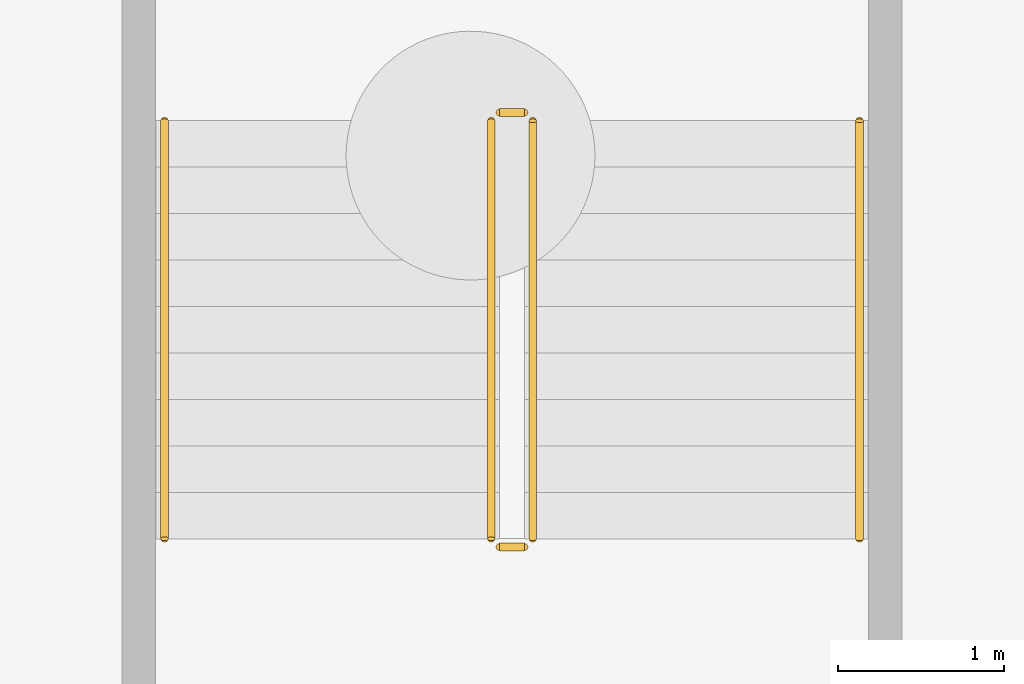
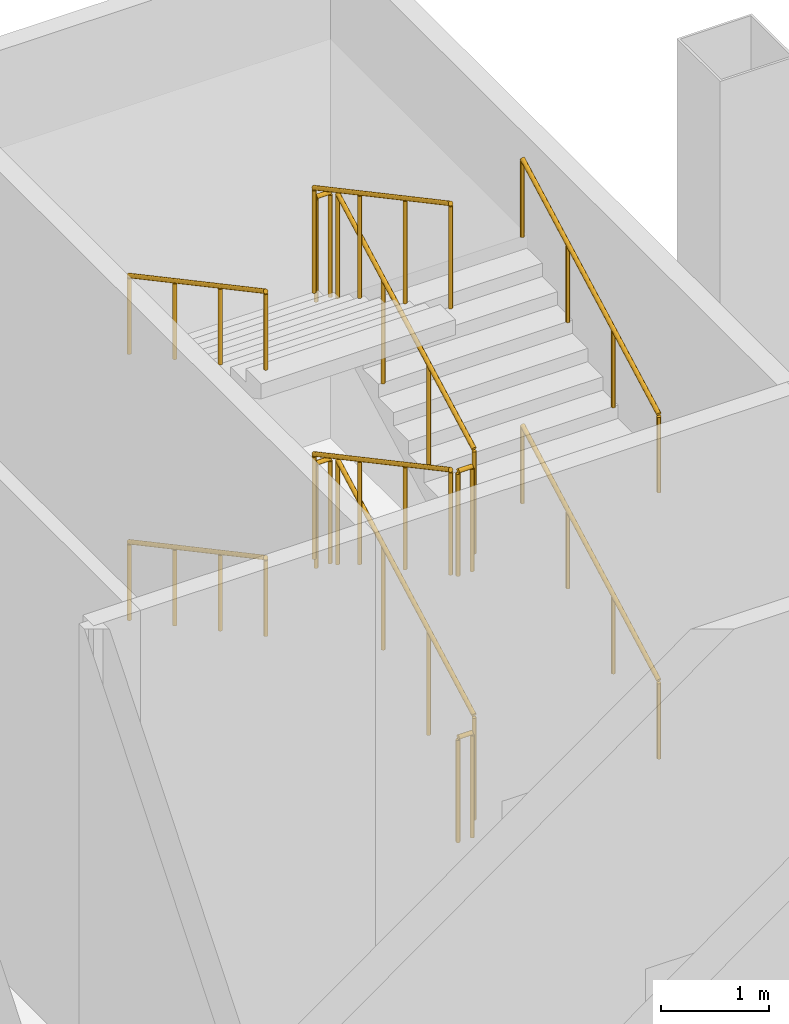
# One storey, part 24 of 25: 12 railings.
"""IFC4 building model written with IfcOpenShell, lengths in metres."""

from ifc_helpers import new_model, si_unit, direction, frame, origin, origin_2d, place, context, subcontext, project, spatial, circle, extrude, material, type_object, element, save


model = new_model("IFC4")

# Units and contexts
model_context = context("Model", 3, precision=1e-05, world=origin(), true_north=direction((0.0, 1.0)))
body_context = subcontext(model_context, "Body", "Model", "MODEL_VIEW")
ifc_project = project(units=[si_unit("LENGTHUNIT", "METRE"), si_unit("AREAUNIT", "SQUARE_METRE"), si_unit("VOLUMEUNIT", "CUBIC_METRE"), si_unit("PLANEANGLEUNIT", "RADIAN"), si_unit("MASSUNIT", "GRAM", prefix="KILO")], contexts=[model_context])

# Site, building, storey
site_placement = place(None, origin())
site = spatial("IfcSite", under=ifc_project, at=site_placement, CompositionType="ELEMENT")
building_placement = place(site_placement, origin())
building = spatial("IfcBuilding", under=site, at=building_placement, Name="Caravel Reach Hotel and Residences", CompositionType="ELEMENT")
storey_placement = place(building_placement, frame((0.0, 0.0, -6.0)))
storey = spatial("IfcBuildingStorey", under=building, at=storey_placement, Name="B1", CompositionType="ELEMENT", Elevation=-6.0)

# Railings
ifc_material_1 = material(Name="Steel balustrade with glass infill", Category="steel")
railing_type_1 = type_object("IfcRailingType", Name="Guard 1200", PredefinedType="GUARDRAIL", material=ifc_material_1)
railing_1_placement = place(storey_placement, frame((63.375, 42.68994140625, 0.14990234375)))
element("IfcRailing", 1, at=railing_1_placement, inside=storey, type_object=railing_type_1, Name="B1 ST-P6 stair guard 1", PredefinedType="GUARDRAIL", context=body_context, shape_type="SweptSolid", body=[
    extrude(circle(Radius=0.02392578125, at=origin_2d()), frame((0.0, 0.0, 1.17578125), z_axis=(0.0, 0.881467274426, 0.472245110209), x_axis=(-1.0, 0.0, 0.0)), (0.0, 0.0, 1.0), 2.85888671875),
    extrude(circle(Radius=0.02099609375, at=origin_2d()), origin(), (0.0, 0.0, 1.0), 1.15185546875),
    extrude(circle(Radius=0.02099609375, at=origin_2d()), frame((0.0, 0.840087890625, 0.449951171875)), (0.0, 0.0, 1.0), 1.15185546875),
    extrude(circle(Radius=0.02099609375, at=origin_2d()), frame((0.0, 1.679931640625, 0.900146484375)), (0.0, 0.0, 1.0), 1.15185546875),
    extrude(circle(Radius=0.02099609375, at=origin_2d()), frame((0.0, 2.52001953125, 1.35009765625)), (0.0, 0.0, 1.0), 1.15185546875),
])
railing_2_placement = place(storey_placement, frame((63.324951171875, 45.260009765625, 1.5)))
element("IfcRailing", 2, at=railing_2_placement, inside=storey, type_object=railing_type_1, Name="B1 ST-P6 stair guard 2", PredefinedType="GUARDRAIL", context=body_context, shape_type="SweptSolid", body=[
    extrude(circle(Radius=0.02392578125, at=origin_2d()), frame((0.0, 0.0, 1.17578125), z_axis=(-1.0, 0.0, 0.0), x_axis=(0.0, -1.0, 0.0)), (0.0, 0.0, 1.0), 0.14990234375),
    extrude(circle(Radius=0.02099609375, at=origin_2d()), origin(), (0.0, 0.0, 1.0), 1.15185546875),
    extrude(circle(Radius=0.02099609375, at=origin_2d()), frame((-0.14990234375, 0.0, 0.0)), (0.0, 0.0, 1.0), 1.15185546875),
])
railing_3_placement = place(storey_placement, frame((63.125, 45.2099609375, 1.64990234375)))
element("IfcRailing", 3, at=railing_3_placement, inside=storey, type_object=railing_type_1, Name="B1 ST-P6 stair guard 3", PredefinedType="GUARDRAIL", context=body_context, shape_type="SweptSolid", body=[
    extrude(circle(Radius=0.02392578125, at=origin_2d()), frame((0.0, 0.0, 1.17578125), z_axis=(0.0, -0.881467274426, 0.472245110209), x_axis=(1.0, 0.0, 0.0)), (0.0, 0.0, 1.0), 2.85888671875),
    extrude(circle(Radius=0.02099609375, at=origin_2d()), origin(), (0.0, 0.0, 1.0), 1.15185546875),
    extrude(circle(Radius=0.02099609375, at=origin_2d()), frame((0.0, -0.840087890625, 0.449951171875)), (0.0, 0.0, 1.0), 1.15185546875),
    extrude(circle(Radius=0.02099609375, at=origin_2d()), frame((0.0, -1.679931640625, 0.900146484375)), (0.0, 0.0, 1.0), 1.15185546875),
    extrude(circle(Radius=0.02099609375, at=origin_2d()), frame((0.0, -2.52001953125, 1.35009765625)), (0.0, 0.0, 1.0), 1.15185546875),
])
railing_4_placement = place(storey_placement, frame((63.324951171875, 42.639892578125, 3.0)))
element("IfcRailing", 4, at=railing_4_placement, inside=storey, type_object=railing_type_1, Name="B1 ST-P6 stair guard 4", PredefinedType="GUARDRAIL", context=body_context, shape_type="SweptSolid", body=[
    extrude(circle(Radius=0.02392578125, at=origin_2d()), frame((0.0, 0.0, 1.17578125), z_axis=(-1.0, 0.0, 0.0), x_axis=(0.0, -1.0, 0.0)), (0.0, 0.0, 1.0), 0.14990234375),
    extrude(circle(Radius=0.02099609375, at=origin_2d()), origin(), (0.0, 0.0, 1.0), 1.15185546875),
    extrude(circle(Radius=0.02099609375, at=origin_2d()), frame((-0.14990234375, 0.0, 0.0)), (0.0, 0.0, 1.0), 1.15185546875),
])
railing_5_placement = place(storey_placement, frame((63.375, 42.68994140625, 3.14990234375)))
element("IfcRailing", 5, at=railing_5_placement, inside=storey, type_object=railing_type_1, Name="B1 ST-P6 stair guard 5", PredefinedType="GUARDRAIL", context=body_context, shape_type="SweptSolid", body=[
    extrude(circle(Radius=0.02392578125, at=origin_2d()), frame((0.0, 0.0, 1.17578125), z_axis=(0.0, 0.881467274426, 0.472245110209), x_axis=(-1.0, 0.0, 0.0)), (0.0, 0.0, 1.0), 2.85888671875),
    extrude(circle(Radius=0.02099609375, at=origin_2d()), origin(), (0.0, 0.0, 1.0), 1.15185546875),
    extrude(circle(Radius=0.02099609375, at=origin_2d()), frame((0.0, 0.840087890625, 0.449951171875)), (0.0, 0.0, 1.0), 1.15185546875),
    extrude(circle(Radius=0.02099609375, at=origin_2d()), frame((0.0, 1.679931640625, 0.900146484375)), (0.0, 0.0, 1.0), 1.15185546875),
    extrude(circle(Radius=0.02099609375, at=origin_2d()), frame((0.0, 2.52001953125, 1.35009765625)), (0.0, 0.0, 1.0), 1.15185546875),
])
railing_6_placement = place(storey_placement, frame((63.324951171875, 45.260009765625, 4.5)))
element("IfcRailing", 6, at=railing_6_placement, inside=storey, type_object=railing_type_1, Name="B1 ST-P6 stair guard 6", PredefinedType="GUARDRAIL", context=body_context, shape_type="SweptSolid", body=[
    extrude(circle(Radius=0.02392578125, at=origin_2d()), frame((0.0, 0.0, 1.17578125), z_axis=(-1.0, 0.0, 0.0), x_axis=(0.0, -1.0, 0.0)), (0.0, 0.0, 1.0), 0.14990234375),
    extrude(circle(Radius=0.02099609375, at=origin_2d()), origin(), (0.0, 0.0, 1.0), 1.15185546875),
    extrude(circle(Radius=0.02099609375, at=origin_2d()), frame((-0.14990234375, 0.0, 0.0)), (0.0, 0.0, 1.0), 1.15185546875),
])
railing_7_placement = place(storey_placement, frame((63.125, 45.2099609375, 4.64990234375)))
element("IfcRailing", 7, at=railing_7_placement, inside=storey, type_object=railing_type_1, Name="B1 ST-P6 stair guard 7", PredefinedType="GUARDRAIL", context=body_context, shape_type="SweptSolid", body=[
    extrude(circle(Radius=0.02392578125, at=origin_2d()), frame((0.0, 0.0, 1.17578125), z_axis=(0.0, -0.881467274426, 0.472245110209), x_axis=(1.0, 0.0, 0.0)), (0.0, 0.0, 1.0), 2.85888671875),
    extrude(circle(Radius=0.02099609375, at=origin_2d()), origin(), (0.0, 0.0, 1.0), 1.15185546875),
    extrude(circle(Radius=0.02099609375, at=origin_2d()), frame((0.0, -0.840087890625, 0.449951171875)), (0.0, 0.0, 1.0), 1.15185546875),
    extrude(circle(Radius=0.02099609375, at=origin_2d()), frame((0.0, -1.679931640625, 0.900146484375)), (0.0, 0.0, 1.0), 1.15185546875),
    extrude(circle(Radius=0.02099609375, at=origin_2d()), frame((0.0, -2.52001953125, 1.35009765625)), (0.0, 0.0, 1.0), 1.15185546875),
])
railing_8_placement = place(storey_placement, frame((63.324951171875, 42.639892578125, 0.0)))
element("IfcRailing", 8, at=railing_8_placement, inside=storey, type_object=railing_type_1, Name="B1 ST-P6 stair guard 8", PredefinedType="GUARDRAIL", context=body_context, shape_type="SweptSolid", body=[
    extrude(circle(Radius=0.02392578125, at=origin_2d()), frame((0.0, 0.0, 1.17578125), z_axis=(-1.0, 0.0, 0.0), x_axis=(0.0, -1.0, 0.0)), (0.0, 0.0, 1.0), 0.14990234375),
    extrude(circle(Radius=0.02099609375, at=origin_2d()), origin(), (0.0, 0.0, 1.0), 1.15185546875),
    extrude(circle(Radius=0.02099609375, at=origin_2d()), frame((-0.14990234375, 0.0, 0.0)), (0.0, 0.0, 1.0), 1.15185546875),
])
ifc_material_2 = material(Name="Stainless steel handrail", Category="steel")
railing_type_2 = type_object("IfcRailingType", Name="Handrail 900", PredefinedType="HANDRAIL", material=ifc_material_2)
railing_9_placement = place(storey_placement, frame((65.344970703125, 42.68994140625, 0.14990234375)))
element("IfcRailing", 9, at=railing_9_placement, inside=storey, type_object=railing_type_2, Name="B1 ST-P6 stair handrail 1", PredefinedType="HANDRAIL", context=body_context, shape_type="SweptSolid", body=[
    extrude(circle(Radius=0.02392578125, at=origin_2d()), frame((0.0, 0.0, 0.8759765625), z_axis=(0.0, 0.881467274426, 0.472245110209), x_axis=(-1.0, 0.0, 0.0)), (0.0, 0.0, 1.0), 2.85888671875),
    extrude(circle(Radius=0.02099609375, at=origin_2d()), origin(), (0.0, 0.0, 1.0), 0.851806640625),
    extrude(circle(Radius=0.02099609375, at=origin_2d()), frame((0.0, 0.840087890625, 0.449951171875)), (0.0, 0.0, 1.0), 0.851806640625),
    extrude(circle(Radius=0.02099609375, at=origin_2d()), frame((0.0, 1.679931640625, 0.900146484375)), (0.0, 0.0, 1.0), 0.851806640625),
    extrude(circle(Radius=0.02099609375, at=origin_2d()), frame((0.0, 2.52001953125, 1.35009765625)), (0.0, 0.0, 1.0), 0.851806640625),
])
railing_10_placement = place(storey_placement, frame((61.155029296875, 45.2099609375, 1.64990234375)))
element("IfcRailing", 10, at=railing_10_placement, inside=storey, type_object=railing_type_2, Name="B1 ST-P6 stair handrail 2", PredefinedType="HANDRAIL", context=body_context, shape_type="SweptSolid", body=[
    extrude(circle(Radius=0.02392578125, at=origin_2d()), frame((0.0, 0.0, 0.8759765625), z_axis=(0.0, -0.881467274426, 0.472245110209), x_axis=(1.0, 0.0, 0.0)), (0.0, 0.0, 1.0), 2.85888671875),
    extrude(circle(Radius=0.02099609375, at=origin_2d()), origin(), (0.0, 0.0, 1.0), 0.851806640625),
    extrude(circle(Radius=0.02099609375, at=origin_2d()), frame((0.0, -0.840087890625, 0.449951171875)), (0.0, 0.0, 1.0), 0.851806640625),
    extrude(circle(Radius=0.02099609375, at=origin_2d()), frame((0.0, -1.679931640625, 0.900146484375)), (0.0, 0.0, 1.0), 0.851806640625),
    extrude(circle(Radius=0.02099609375, at=origin_2d()), frame((0.0, -2.52001953125, 1.35009765625)), (0.0, 0.0, 1.0), 0.851806640625),
])
railing_11_placement = place(storey_placement, frame((65.344970703125, 42.68994140625, 3.14990234375)))
element("IfcRailing", 11, at=railing_11_placement, inside=storey, type_object=railing_type_2, Name="B1 ST-P6 stair handrail 3", PredefinedType="HANDRAIL", context=body_context, shape_type="SweptSolid", body=[
    extrude(circle(Radius=0.02392578125, at=origin_2d()), frame((0.0, 0.0, 0.8759765625), z_axis=(0.0, 0.881467274426, 0.472245110209), x_axis=(-1.0, 0.0, 0.0)), (0.0, 0.0, 1.0), 2.85888671875),
    extrude(circle(Radius=0.02099609375, at=origin_2d()), origin(), (0.0, 0.0, 1.0), 0.851806640625),
    extrude(circle(Radius=0.02099609375, at=origin_2d()), frame((0.0, 0.840087890625, 0.449951171875)), (0.0, 0.0, 1.0), 0.851806640625),
    extrude(circle(Radius=0.02099609375, at=origin_2d()), frame((0.0, 1.679931640625, 0.900146484375)), (0.0, 0.0, 1.0), 0.851806640625),
    extrude(circle(Radius=0.02099609375, at=origin_2d()), frame((0.0, 2.52001953125, 1.35009765625)), (0.0, 0.0, 1.0), 0.851806640625),
])
railing_12_placement = place(storey_placement, frame((61.155029296875, 45.2099609375, 4.64990234375)))
element("IfcRailing", 12, at=railing_12_placement, inside=storey, type_object=railing_type_2, Name="B1 ST-P6 stair handrail 4", PredefinedType="HANDRAIL", context=body_context, shape_type="SweptSolid", body=[
    extrude(circle(Radius=0.02392578125, at=origin_2d()), frame((0.0, 0.0, 0.8759765625), z_axis=(0.0, -0.881467274426, 0.472245110209), x_axis=(1.0, 0.0, 0.0)), (0.0, 0.0, 1.0), 2.85888671875),
    extrude(circle(Radius=0.02099609375, at=origin_2d()), origin(), (0.0, 0.0, 1.0), 0.851806640625),
    extrude(circle(Radius=0.02099609375, at=origin_2d()), frame((0.0, -0.840087890625, 0.449951171875)), (0.0, 0.0, 1.0), 0.851806640625),
    extrude(circle(Radius=0.02099609375, at=origin_2d()), frame((0.0, -1.679931640625, 0.900146484375)), (0.0, 0.0, 1.0), 0.851806640625),
    extrude(circle(Radius=0.02099609375, at=origin_2d()), frame((0.0, -2.52001953125, 1.35009765625)), (0.0, 0.0, 1.0), 0.851806640625),
])

save(model, "model.ifc")
